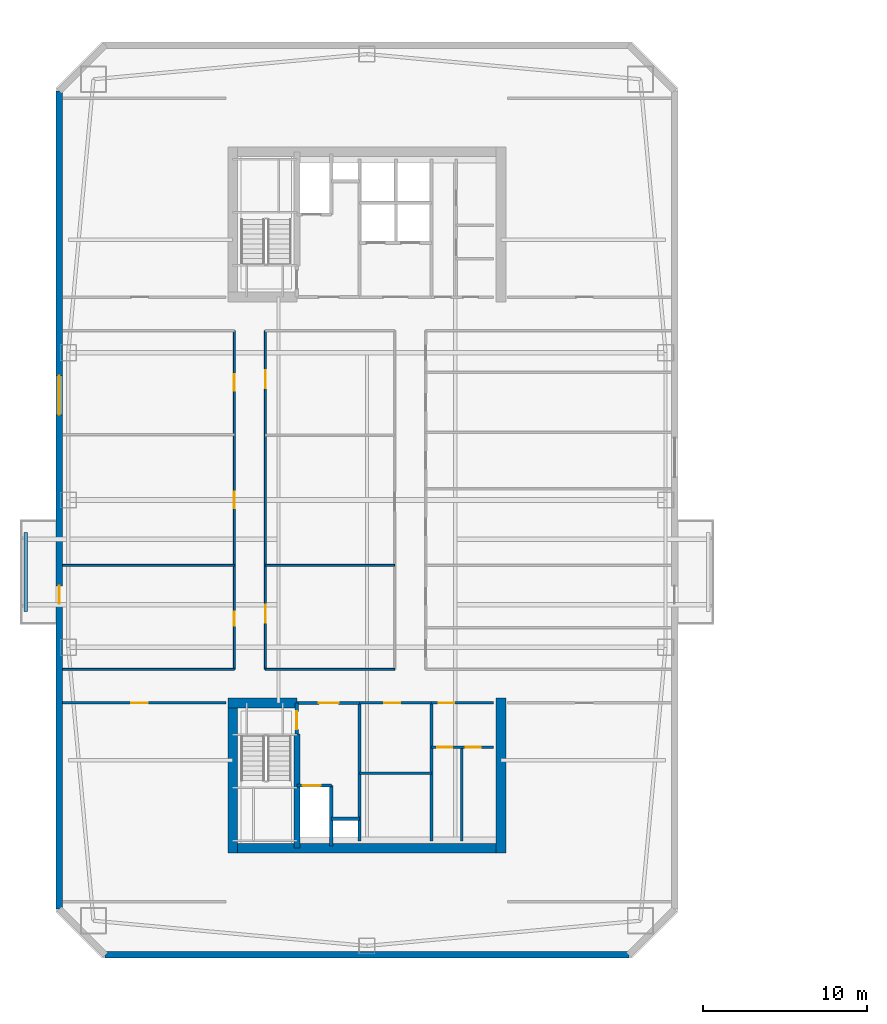
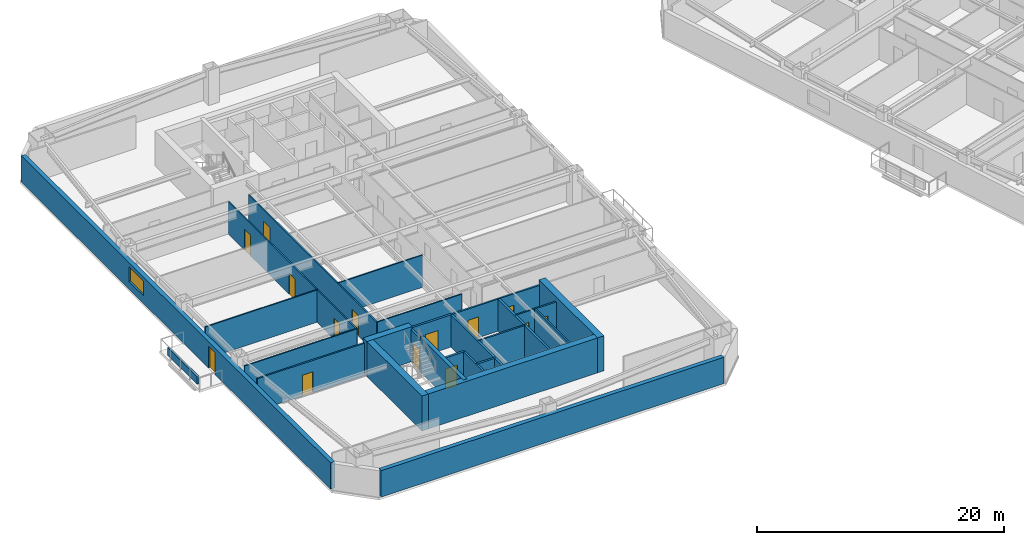
# One storey, part 4 of 14: 27 walls, 14 doors, 1 window, 15 openings.
"""IFC4 building model written with IfcOpenShell, lengths in metres."""

import ifcopenshell
import ifcopenshell.guid

model = None  # the IFC model being written
_history = None  # IfcOwnerHistory: only IFC2X3 demands one
_inside = {}  # id of a spatial element -> (the spatial element, [elements in it])
_under = {}  # id of a project, library or spatial element -> (it, [spatial elements below it])
_declared = {}  # id of a project -> (the project, [libraries it declares])
_typed = {}  # id of a type object -> (the type object, [elements of that type])
_made_of = {}  # id of a material, layer set ... -> (it, [elements and type objects made of it])


def new_model(schema):
    """Start an empty IFC model of exactly this schema.

    Asked for "IFC4X3", IfcOpenShell would pick the latest addendum, in which some entities
    have other attributes; the version numbers below select the first issue.
    IFC2X3 requires an IfcOwnerHistory on every rooted entity: one is made here for all.
    """
    global model, _history
    if schema == "IFC4X3":
        model = ifcopenshell.file(schema_version=(4, 3, 0, 0))
    else:
        model = ifcopenshell.file(schema=schema)
    _inside.clear()
    _under.clear()
    _declared.clear()
    _typed.clear()
    _made_of.clear()
    _history = None
    if model.schema == "IFC2X3":
        org = make("IfcOrganization", Name="unknown")
        user = make(
            "IfcPersonAndOrganization",
            ThePerson=make("IfcPerson", FamilyName="unknown"),
            TheOrganization=org,
        )
        app = make(
            "IfcApplication",
            ApplicationDeveloper=org,
            Version="unknown",
            ApplicationFullName="unknown",
            ApplicationIdentifier="unknown",
        )
        _history = make(
            "IfcOwnerHistory",
            OwningUser=user,
            OwningApplication=app,
            ChangeAction="ADDED",
            CreationDate=0,
        )
    return model


def make(cls, **values):
    """One entity of the class cls with the attributes given. An attribute that is None is left unset."""
    return model.create_entity(
        cls, **{name: value for name, value in values.items() if value is not None}
    )


def rooted(cls, **values):
    """An entity with a GlobalId (a new one), such as an element, a storey or a relation."""
    return make(cls, GlobalId=ifcopenshell.guid.new(), OwnerHistory=_history, **values)


def si_unit(unit_type, name, prefix=None):
    """IfcSIUnit, for example si_unit("LENGTHUNIT", "METRE", prefix="MILLI")."""
    return make("IfcSIUnit", UnitType=unit_type, Prefix=prefix, Name=name)


def assignment(units):
    """IfcUnitAssignment: the units of a project."""
    return None if units is None else make("IfcUnitAssignment", Units=units)


def point(xyz):
    """IfcCartesianPoint."""
    return None if xyz is None else make("IfcCartesianPoint", Coordinates=xyz)


def direction(xyz):
    """IfcDirection."""
    return None if xyz is None else make("IfcDirection", DirectionRatios=xyz)


def frame(location, z_axis=None, x_axis=None):
    """IfcAxis2Placement3D, a coordinate frame: its origin and axes. An axis left out is left unset."""
    return make(
        "IfcAxis2Placement3D",
        Location=point(location),
        Axis=direction(z_axis),
        RefDirection=direction(x_axis),
    )


def frame_2d(location, x_axis=None):
    """IfcAxis2Placement2D, a coordinate frame in the plane: its origin and x axis."""
    return make(
        "IfcAxis2Placement2D", Location=point(location), RefDirection=direction(x_axis)
    )


def origin():
    """The frame at (0, 0, 0) with its axes left unset."""
    return frame((0.0, 0.0, 0.0))


def place(relative_to, where):
    """IfcLocalPlacement: puts the frame where relative to a parent placement (None: the world)."""
    return make(
        "IfcLocalPlacement", PlacementRelTo=relative_to, RelativePlacement=where
    )


def context(
    kind, dimensions, precision=None, world=None, true_north=None, identifier=None
):
    """IfcGeometricRepresentationContext, for example the 3D "Model" context."""
    return make(
        "IfcGeometricRepresentationContext",
        ContextIdentifier=identifier,
        ContextType=kind,
        CoordinateSpaceDimension=dimensions,
        Precision=precision,
        WorldCoordinateSystem=world,
        TrueNorth=true_north,
    )


def subcontext(parent, identifier, kind, view, scale=None):
    """IfcGeometricRepresentationSubContext, for example "Body" below "Model"."""
    return make(
        "IfcGeometricRepresentationSubContext",
        ContextIdentifier=identifier,
        ContextType=kind,
        ParentContext=parent,
        TargetScale=scale,
        TargetView=view,
    )


def project(units=None, contexts=None):
    """IfcProject with its units and contexts."""
    return rooted(
        "IfcProject",
        Name="project",
        RepresentationContexts=contexts,
        UnitsInContext=assignment(units),
    )


def spatial(cls, under=None, at=None, **own):
    """A site, building, storey or space (cls), placed at a placement, below another one or the project."""
    s = rooted(cls, ObjectPlacement=at, **own)
    if under is not None:
        _under.setdefault(under.id(), (under, []))[1].append(s)
    return s


def profile(cls, at=None, kind="AREA", **sizes):
    """A parametric profile (cls). Its sizes go by their IFC names, for example OverallWidth=200.0."""
    return make(cls, ProfileType=kind, Position=at, **sizes)


def rectangle(**sizes):
    """IfcRectangleProfileDef."""
    return profile("IfcRectangleProfileDef", **sizes)


def extrude(swept, where, along, depth):
    """IfcExtrudedAreaSolid: the profile swept, set in the frame where, extruded along a direction by depth."""
    return make(
        "IfcExtrudedAreaSolid",
        SweptArea=swept,
        Position=where,
        ExtrudedDirection=direction(along),
        Depth=depth,
    )


def shape(context_of_items, identifier, shape_type, items):
    """IfcShapeRepresentation: the items that make up one representation, for example the "Body"."""
    return make(
        "IfcShapeRepresentation",
        ContextOfItems=context_of_items,
        RepresentationIdentifier=identifier,
        RepresentationType=shape_type,
        Items=items,
    )


def material(Name=None, Category=None):
    """IfcMaterial."""
    return make("IfcMaterial", Name=Name, Category=Category)


def layer(
    of_material, thickness, ventilated=None, Name=None, Category=None, Priority=None
):
    """IfcMaterialLayer: one layer of a wall or slab, of a material (None: an air gap)."""
    return make(
        "IfcMaterialLayer",
        Material=of_material,
        LayerThickness=thickness,
        IsVentilated=ventilated,
        Name=Name,
        Category=Category,
        Priority=Priority,
    )


def layer_set(layers, Name=None):
    """IfcMaterialLayerSet."""
    return make("IfcMaterialLayerSet", MaterialLayers=layers, LayerSetName=Name)


def made_of(thing, what):
    """Note that an element or type object is made of a material, layer set ...; save() writes the relation."""
    if what is not None:
        _made_of.setdefault(what.id(), (what, []))[1].append(thing)
    return thing


def type_object(cls, material=None, **own):
    """A type object (cls), such as IfcWallType, which elements share."""
    return made_of(rooted(cls, **own), material)


def element(
    cls,
    number,
    at=None,
    inside=None,
    cuts=None,
    type_object=None,
    material=None,
    context=None,
    identifier="Body",
    shape_type=None,
    held_by="IfcProductDefinitionShape",
    body=None,
    shapes=None,
    **own,
):
    """One element of the class cls, such as IfcWall. Its Tag is "e" and its number.

    at: its placement. inside: the storey or other place that contains it. cuts: it is an
    opening in that element (IfcRelVoidsElement). A single representation is given by context,
    identifier, shape_type and body (its items); several are given by shapes. held_by: the class
    of the entity that holds the representations. save() writes the other relations.
    """
    e = rooted(cls, Tag="e%d" % number, ObjectPlacement=at, **own)
    if body is not None:
        shapes = [shape(context, identifier, shape_type, body)]
    if shapes is not None:
        e.Representation = make(held_by, Representations=shapes)
    if inside is not None:
        _inside.setdefault(inside.id(), (inside, []))[1].append(e)
    if cuts is not None:
        rooted(
            "IfcRelVoidsElement", RelatingBuildingElement=cuts, RelatedOpeningElement=e
        )
    if type_object is not None:
        _typed.setdefault(type_object.id(), (type_object, []))[1].append(e)
    return made_of(e, material)


def fill(opening, filler):
    """IfcRelFillsElement: the door or window that sits in an opening."""
    return rooted(
        "IfcRelFillsElement",
        RelatingOpeningElement=opening,
        RelatedBuildingElement=filler,
    )


def aggregate(whole, parts):
    """IfcRelAggregates: a whole, such as a stair, and the parts it consists of."""
    return rooted("IfcRelAggregates", RelatingObject=whole, RelatedObjects=parts)


def save(model, path):
    """Write the relations noted so far, then the file.

    IfcRelAggregates (storeys below a building ...), IfcRelContainedInSpatialStructure (elements
    in a storey), IfcRelDefinesByType, IfcRelAssociatesMaterial and IfcRelDeclares: one each for
    every whole, place, type object, material and project.
    """
    for whole, parts in _under.values():
        aggregate(whole, parts)
    for where, things in _inside.values():
        rooted(
            "IfcRelContainedInSpatialStructure",
            RelatedElements=things,
            RelatingStructure=where,
        )
    for kind, things in _typed.values():
        rooted("IfcRelDefinesByType", RelatedObjects=things, RelatingType=kind)
    for what, things in _made_of.values():
        rooted("IfcRelAssociatesMaterial", RelatedObjects=things, RelatingMaterial=what)
    for by, libraries in _declared.values():
        rooted("IfcRelDeclares", RelatingContext=by, RelatedDefinitions=libraries)
    model.write(path)


model = new_model("IFC4")

# Units and contexts
model_context = context("Model", 3, precision=1e-05, world=origin(), true_north=direction((0.0, 1.0)))
body_context = subcontext(model_context, "Body", "Model", "MODEL_VIEW")
ifc_project = project(units=[si_unit("LENGTHUNIT", "METRE"), si_unit("AREAUNIT", "SQUARE_METRE"), si_unit("VOLUMEUNIT", "CUBIC_METRE"), si_unit("PLANEANGLEUNIT", "RADIAN"), si_unit("MASSUNIT", "GRAM", prefix="KILO")], contexts=[model_context])

# Site, building, storey
site_placement = place(None, origin())
site = spatial("IfcSite", under=ifc_project, at=site_placement, CompositionType="ELEMENT")
building_placement = place(site_placement, origin())
building = spatial("IfcBuilding", under=site, at=building_placement, Name="Qiaolan Cultural Towers", CompositionType="ELEMENT")
storey_placement = place(building_placement, frame((0.0, 0.0, 124.199951171875)))
storey = spatial("IfcBuildingStorey", under=building, at=storey_placement, Name="L32", CompositionType="ELEMENT", Elevation=124.199951171875)

# Walls
ifc_material_1 = material(Name="Concrete C50", Category="concrete")
ifc_layer_1 = layer(ifc_material_1, 0.35009765625)
ifc_layer_set_1 = layer_set([ifc_layer_1], Name="Concrete C50")
wall_type_1 = type_object("IfcWallType", Name="WL-CORE-350", PredefinedType="SHEAR", material=ifc_layer_set_1)
wall_1_placement = place(storey_placement, frame((25.719970703125, 19.699951171875, 0.0), z_axis=(0.0, 0.0, 1.0), x_axis=(0.0, -1.0, 0.0)))
element("IfcWall", 1, at=wall_1_placement, inside=storey, type_object=wall_type_1, Name="L32 T1-CS Stair Core Dividing Web", PredefinedType="SHEAR", context=body_context, shape_type="SweptSolid", body=[
    extrude(rectangle(XDim=6.97998046875, YDim=0.35009765625, at=frame_2d((3.489990234375, 0.0))), origin(), (0.0, 0.0, 1.0), 3.449951171875),
])
ifc_material_2 = material(Name="Concrete C55", Category="concrete")
ifc_layer_2 = layer(ifc_material_2, 0.60009765625)
ifc_layer_set_2 = layer_set([ifc_layer_2], Name="Concrete C55")
wall_type_2 = type_object("IfcWallType", Name="WL-CORE-600", PredefinedType="SHEAR", material=ifc_layer_set_2)
wall_2_placement = place(storey_placement, frame((21.5, 12.719970703125, 0.0), z_axis=(0.0, 0.0, 1.0), x_axis=(1.0, 0.0, 0.0)))
element("IfcWall", 2, at=wall_2_placement, inside=storey, type_object=wall_type_2, Name="L32 T1-CS Outer Core Shear Wall", PredefinedType="SHEAR", context=body_context, shape_type="SweptSolid", body=[
    extrude(rectangle(XDim=17.0, YDim=0.60009765625, at=frame_2d((8.5, 0.0))), origin(), (0.0, 0.0, 1.0), 3.449951171875),
])
for number, where, z_axis, x_axis, name in (
    (3, (21.800048828125, 21.89990234375, 0.0), (0.0, 0.0, 1.0), (0.0, -1.0, 0.0), "L32 T1-CS West Core Shear Wall"),
    (4, (38.199951171875, 21.89990234375, 0.0), (0.0, 0.0, 1.0), (0.0, -1.0, 0.0), "L32 T1-CS East Core Shear Wall"),
):
    element("IfcWall", number, at=place(storey_placement, frame(where, z_axis=z_axis, x_axis=x_axis)), inside=storey, type_object=wall_type_2, Name=name, PredefinedType="SHEAR", context=body_context, shape_type="SweptSolid", body=[
        extrude(rectangle(XDim=9.47998046875, YDim=0.60009765625, at=frame_2d((4.739990234375, 0.0))), origin(), (0.0, 0.0, 1.0), 3.449951171875),
    ])
wall_3_placement = place(storey_placement, frame((21.5, 21.60009765625, 0.0), z_axis=(0.0, 0.0, 1.0), x_axis=(1.0, 0.0, 0.0)))
element("IfcWall", 5, at=wall_3_placement, inside=storey, type_object=wall_type_2, Name="L32 T1-CS Stair Front Shear Wall", PredefinedType="SHEAR", context=body_context, shape_type="SweptSolid", body=[
    extrude(rectangle(XDim=4.219970703125, YDim=0.60009765625, at=frame_2d((2.10986328125, 0.0))), origin(), (0.0, 0.0, 1.0), 3.449951171875),
])

# Wall, openings, door, window
ifc_material_3 = material(Name="Precast Concrete C50 Honed Stone Pier", Category="masonry")
ifc_layer_3 = layer(ifc_material_3, 0.39990234375)
ifc_layer_set_3 = layer_set([ifc_layer_3], Name="Precast Concrete C50 Honed Stone Pier")
wall_type_3 = type_object("IfcWallType", Name="WL-EXT-PIER-400", PredefinedType="SOLIDWALL", material=ifc_layer_set_3)
wall_4_placement = place(storey_placement, frame((11.199951171875, 9.0, 0.0), z_axis=(0.0, 0.0, 1.0), x_axis=(0.0, 1.0, 0.0)))
wall_4 = element("IfcWall", 6, at=wall_4_placement, inside=storey, type_object=wall_type_3, Name="L32 West Tower Precast Pier Facade Wall F1", PredefinedType="SOLIDWALL", context=body_context, shape_type="SweptSolid", body=[
    extrude(rectangle(XDim=50.0, YDim=0.39990234375, at=frame_2d((25.0, 0.0))), origin(), (0.0, 0.0, 1.0), 2.610107421875),
])
opening_1_placement = place(wall_4_placement, frame((30.199951171875, 0.0, 0.75)))
opening_1 = element("IfcOpeningElement", 7, at=opening_1_placement, cuts=wall_4, Name="Opening W-02", PredefinedType="OPENING", context=body_context, shape_type="SweptSolid", body=[
    extrude(rectangle(XDim=2.39990234375, YDim=1.4599609375, at=frame_2d((1.199951171875, 0.72998046875))), frame((0.0, 0.2099609375, 0.0), z_axis=(0.0, -1.0, 0.0), x_axis=(1.0, 0.0, 0.0)), (0.0, 0.0, 1.0), 0.419921875),
])
opening_2_placement = place(wall_4_placement, frame((18.64990234375, 0.0, 0.0)))
opening_2 = element("IfcOpeningElement", 8, at=opening_2_placement, cuts=wall_4, Name="Opening BD-01", PredefinedType="OPENING", context=body_context, shape_type="SweptSolid", body=[
    extrude(rectangle(XDim=1.10009765625, YDim=2.14990234375, at=frame_2d((0.550048828125, 1.074951171875))), frame((0.0, 0.2099609375, 0.0), z_axis=(0.0, -1.0, 0.0), x_axis=(1.0, 0.0, 0.0)), (0.0, 0.0, 1.0), 0.419921875),
])
ifc_material_4 = material(Name="Thermally Broken Aluminium Glazed Terrace Door", Category="aluminium")
door_type_1 = type_object("IfcDoorType", Name="DR-BAL-1100", OperationType="NOTDEFINED", PredefinedType="DOOR", material=ifc_material_4)
door_1_placement = place(opening_2_placement, origin())
door_1 = element("IfcDoor", 9, at=door_1_placement, inside=storey, type_object=door_type_1, Name="L32 T1 West Tree Balcony Door", OperationType="SINGLE_SWING_LEFT", OverallHeight=2.14990234375, OverallWidth=1.10009765625, PredefinedType="DOOR", context=body_context, shape_type="SweptSolid", body=[
    extrude(rectangle(XDim=1.10009765625, YDim=2.14990234375, at=frame_2d((0.550048828125, 1.074951171875))), frame((0.0, 0.02490234375, 0.0), z_axis=(0.0, -1.0, 0.0), x_axis=(1.0, 0.0, 0.0)), (0.0, 0.0, 1.0), 0.050048828125),
])
fill(opening_2, door_1)
ifc_material_5 = material(Name="Thermally Broken Aluminium Triple Low-E Glazing", Category="aluminium")
window_type = type_object("IfcWindowType", Name="WN-CHIC-2400", PartitioningType="SINGLE_PANEL", PredefinedType="WINDOW", material=ifc_material_5)
window_placement = place(opening_1_placement, origin())
window = element("IfcWindow", 10, at=window_placement, inside=storey, type_object=window_type, Name="L32 T1 W Chicago Bay Window 1", OverallHeight=1.4599609375, OverallWidth=2.39990234375, PartitioningType="TRIPLE_PANEL_VERTICAL", PredefinedType="WINDOW", context=body_context, shape_type="SweptSolid", body=[
    extrude(rectangle(XDim=2.39990234375, YDim=1.4599609375, at=frame_2d((1.199951171875, 0.72998046875))), frame((0.0, 0.030029296875, 0.0), z_axis=(0.0, -1.0, 0.0), x_axis=(1.0, 0.0, 0.0)), (0.0, 0.0, 1.0), 0.06005859375),
])
fill(opening_1, window)

# Wall
wall_5_placement = place(storey_placement, frame((46.0, 6.199951171875, 0.0), z_axis=(0.0, 0.0, 1.0), x_axis=(-1.0, 0.0, 0.0)))
element("IfcWall", 11, at=wall_5_placement, inside=storey, type_object=wall_type_3, Name="L32 West Tower Precast Pier Facade Wall F7", PredefinedType="SOLIDWALL", context=body_context, shape_type="SweptSolid", body=[
    extrude(rectangle(XDim=32.0, YDim=0.39990234375, at=frame_2d((16.0, 0.0))), origin(), (0.0, 0.0, 1.0), 2.610107421875),
])

# Wall, opening, door
ifc_material_6 = material(Name="Concrete C35 Fire Wall", Category="concrete")
ifc_layer_4 = layer(ifc_material_6, 0.199951171875)
ifc_layer_set_4 = layer_set([ifc_layer_4], Name="Concrete C35 Fire Wall")
wall_type_4 = type_object("IfcWallType", Name="WL-FIRE-200", PredefinedType="PARTITIONING", material=ifc_layer_set_4)
wall_6_placement = place(storey_placement, frame((25.719970703125, 21.60009765625, 0.0), z_axis=(0.0, 0.0, 1.0), x_axis=(0.0, -1.0, 0.0)))
wall_6 = element("IfcWall", 12, at=wall_6_placement, inside=storey, type_object=wall_type_4, Name="L32 T1-CS Smokeproof Stair Entry Wall", PredefinedType="PARTITIONING", context=body_context, shape_type="SweptSolid", body=[
    extrude(rectangle(XDim=1.900146484375, YDim=0.199951171875, at=frame_2d((0.9501953125, 0.0))), origin(), (0.0, 0.0, 1.0), 3.175048828125),
])
opening_3_placement = place(wall_6_placement, frame((0.52001953125, 0.0, 0.0)))
opening_3 = element("IfcOpeningElement", 13, at=opening_3_placement, cuts=wall_6, Name="Opening FD-04", PredefinedType="OPENING", context=body_context, shape_type="SweptSolid", body=[
    extrude(rectangle(XDim=1.10009765625, YDim=2.050048828125, at=frame_2d((0.550048828125, 1.02490234375))), frame((0.0, 0.10986328125, 0.0), z_axis=(0.0, -1.0, 0.0), x_axis=(1.0, 0.0, 0.0)), (0.0, 0.0, 1.0), 0.219970703125),
])
ifc_material_7 = material(Name="Galvanized Steel Command Fire Door", Category="steel")
door_type_2 = type_object("IfcDoorType", Name="DR-FD90-1100", OperationType="NOTDEFINED", PredefinedType="DOOR", material=ifc_material_7)
door_2_placement = place(opening_3_placement, origin())
door_2 = element("IfcDoor", 14, at=door_2_placement, inside=storey, type_object=door_type_2, Name="L32 ST-W1 Smokeproof Stair Fire Door", OperationType="SINGLE_SWING_LEFT", OverallHeight=2.050048828125, OverallWidth=1.10009765625, PredefinedType="DOOR", context=body_context, shape_type="SweptSolid", body=[
    extrude(rectangle(XDim=1.10009765625, YDim=2.050048828125, at=frame_2d((0.550048828125, 1.02490234375))), frame((0.0, 0.02490234375, 0.0), z_axis=(0.0, -1.0, 0.0), x_axis=(1.0, 0.0, 0.0)), (0.0, 0.0, 1.0), 0.050048828125),
])
fill(opening_3, door_2)

# Wall
wall_7_placement = place(storey_placement, frame((29.550048828125, 21.60009765625, 0.0), z_axis=(0.0, 0.0, 1.0), x_axis=(0.0, -1.0, 0.0)))
element("IfcWall", 15, at=wall_7_placement, inside=storey, type_object=wall_type_4, Name="L32 T1-CS Firefighting Zone Wall", PredefinedType="PARTITIONING", context=body_context, shape_type="SweptSolid", body=[
    extrude(rectangle(XDim=8.43017578125, YDim=0.199951171875, at=frame_2d((4.215087890625, 0.0))), origin(), (0.0, 0.0, 1.0), 3.175048828125),
])

# Wall, opening, door
wall_8_placement = place(storey_placement, frame((25.719970703125, 21.60009765625, 0.0), z_axis=(0.0, 0.0, 1.0), x_axis=(1.0, 0.0, 0.0)))
wall_8 = element("IfcWall", 16, at=wall_8_placement, inside=storey, type_object=wall_type_4, Name="L32 T1-CS Firefighting Lobby Front Wall", PredefinedType="PARTITIONING", context=body_context, shape_type="SweptSolid", body=[
    extrude(rectangle(XDim=3.830078125, YDim=0.199951171875, at=frame_2d((1.9150390625, 0.0))), origin(), (0.0, 0.0, 1.0), 3.175048828125),
])
opening_4_placement = place(wall_8_placement, frame((1.35009765625, 0.0, 0.0)))
opening_4 = element("IfcOpeningElement", 17, at=opening_4_placement, cuts=wall_8, Name="Opening FD-03", PredefinedType="OPENING", context=body_context, shape_type="SweptSolid", body=[
    extrude(rectangle(XDim=1.199951171875, YDim=2.050048828125, at=frame_2d((0.60009765625, 1.02490234375))), frame((0.0, 0.10986328125, 0.0), z_axis=(0.0, -1.0, 0.0), x_axis=(1.0, 0.0, 0.0)), (0.0, 0.0, 1.0), 0.219970703125),
])
ifc_material_8 = material(Name="Galvanized Steel Smokeproof Lobby Fire Door", Category="steel")
door_type_3 = type_object("IfcDoorType", Name="DR-FD90-1200", OperationType="NOTDEFINED", PredefinedType="DOOR", material=ifc_material_8)
door_3_placement = place(opening_4_placement, origin())
door_3 = element("IfcDoor", 18, at=door_3_placement, inside=storey, type_object=door_type_3, Name="L32 FFL-W1 Firefighting Lobby Fire Door", OperationType="SINGLE_SWING_LEFT", OverallHeight=2.050048828125, OverallWidth=1.199951171875, PredefinedType="DOOR", context=body_context, shape_type="SweptSolid", body=[
    extrude(rectangle(XDim=1.199951171875, YDim=2.050048828125, at=frame_2d((0.60009765625, 1.02490234375))), frame((0.0, 0.02490234375, 0.0), z_axis=(0.0, -1.0, 0.0), x_axis=(1.0, 0.0, 0.0)), (0.0, 0.0, 1.0), 0.050048828125),
])
fill(opening_4, door_3)

wall_9_placement = place(storey_placement, frame((25.719970703125, 16.550048828125, 0.0), z_axis=(0.0, 0.0, 1.0), x_axis=(1.0, 0.0, 0.0)))
wall_9 = element("IfcWall", 19, at=wall_9_placement, inside=storey, type_object=wall_type_4, Name="L32 T1-CS Firefighting Shaft Front Wall", PredefinedType="PARTITIONING", context=body_context, shape_type="SweptSolid", body=[
    extrude(rectangle(XDim=2.10009765625, YDim=0.199951171875, at=frame_2d((1.050048828125, 0.0))), origin(), (0.0, 0.0, 1.0), 3.175048828125),
])
opening_5_placement = place(wall_9_placement, frame((0.35009765625, 0.0, 0.0)))
opening_5 = element("IfcOpeningElement", 20, at=opening_5_placement, cuts=wall_9, Name="Opening LD-01", PredefinedType="OPENING", context=body_context, shape_type="SweptSolid", body=[
    extrude(rectangle(XDim=1.10009765625, YDim=2.050048828125, at=frame_2d((0.550048828125, 1.02490234375))), frame((0.0, 0.10986328125, 0.0), z_axis=(0.0, -1.0, 0.0), x_axis=(1.0, 0.0, 0.0)), (0.0, 0.0, 1.0), 0.219970703125),
])
ifc_material_9 = material(Name="Brushed Stainless Steel S30408 Centre-Parting Lift Landing Door", Category="steel")
door_type_4 = type_object("IfcDoorType", Name="DR-LIFT-1100", OperationType="NOTDEFINED", PredefinedType="DOOR", material=ifc_material_9)
door_4_placement = place(opening_5_placement, origin())
door_4 = element("IfcDoor", 21, at=door_4_placement, inside=storey, type_object=door_type_4, Name="L32 FFL-W1 Firefighting Lift Landing Door", OperationType="DOUBLE_DOOR_SLIDING", OverallHeight=2.050048828125, OverallWidth=1.10009765625, PredefinedType="DOOR", context=body_context, shape_type="SweptSolid", body=[
    extrude(rectangle(XDim=1.10009765625, YDim=2.050048828125, at=frame_2d((0.550048828125, 1.02490234375))), frame((0.0, 0.02490234375, 0.0), z_axis=(0.0, -1.0, 0.0), x_axis=(1.0, 0.0, 0.0)), (0.0, 0.0, 1.0), 0.050048828125),
])
fill(opening_5, door_4)

# Walls
wall_10_placement = place(storey_placement, frame((27.820068359375, 16.550048828125, 0.0), z_axis=(0.0, 0.0, 1.0), x_axis=(0.0, -1.0, 0.0)))
element("IfcWall", 22, at=wall_10_placement, inside=storey, type_object=wall_type_4, Name="L32 T1-CS Firefighting Hoistway East Wall", PredefinedType="PARTITIONING", context=body_context, shape_type="SweptSolid", body=[
    extrude(rectangle(XDim=3.699951171875, YDim=0.199951171875, at=frame_2d((1.85009765625, 0.0))), origin(), (0.0, 0.0, 1.0), 3.175048828125),
])
wall_11_placement = place(storey_placement, frame((27.820068359375, 14.52001953125, 0.0), z_axis=(0.0, 0.0, 1.0), x_axis=(1.0, 0.0, 0.0)))
element("IfcWall", 23, at=wall_11_placement, inside=storey, type_object=wall_type_4, Name="L32 T1-CS Pressurization Shaft Front Wall", PredefinedType="PARTITIONING", context=body_context, shape_type="SweptSolid", body=[
    extrude(rectangle(XDim=1.72998046875, YDim=0.199951171875, at=frame_2d((0.864990234375, 0.0))), origin(), (0.0, 0.0, 1.0), 3.175048828125),
])
wall_12_placement = place(storey_placement, frame((33.949951171875, 21.60009765625, 0.0), z_axis=(0.0, 0.0, 1.0), x_axis=(0.0, -1.0, 0.0)))
element("IfcWall", 24, at=wall_12_placement, inside=storey, type_object=wall_type_4, Name="L32 T1-CS Lift Core East Wall", PredefinedType="PARTITIONING", context=body_context, shape_type="SweptSolid", body=[
    extrude(rectangle(XDim=8.43017578125, YDim=0.199951171875, at=frame_2d((4.215087890625, 0.0))), origin(), (0.0, 0.0, 1.0), 3.175048828125),
])
ifc_material_10 = material(Name="Gypsum Stud Acoustic Partition", Category="gypsum")
ifc_layer_5 = layer(ifc_material_10, 0.1201171875)
ifc_layer_set_5 = layer_set([ifc_layer_5], Name="Gypsum Stud Acoustic Partition")
wall_type_5 = type_object("IfcWallType", Name="WL-PART-120", PredefinedType="PARTITIONING", material=ifc_layer_set_5)
wall_13_placement = place(storey_placement, frame((11.39990234375, 23.64990234375, 0.0), z_axis=(0.0, 0.0, 1.0), x_axis=(1.0, 0.0, 0.0)))
element("IfcWall", 25, at=wall_13_placement, inside=storey, type_object=wall_type_5, Name="L32 T1 Interior Wall", PredefinedType="PARTITIONING", context=body_context, shape_type="SweptSolid", body=[
    extrude(rectangle(XDim=10.5, YDim=0.1201171875, at=frame_2d((5.25, 0.0))), origin(), (0.0, 0.0, 1.0), 3.175048828125),
])
wall_14_placement = place(storey_placement, frame((23.800048828125, 23.64990234375, 0.0), z_axis=(0.0, 0.0, 1.0), x_axis=(1.0, 0.0, 0.0)))
element("IfcWall", 26, at=wall_14_placement, inside=storey, type_object=wall_type_5, Name="L32 T1 Interior Wall", PredefinedType="PARTITIONING", context=body_context, shape_type="SweptSolid", body=[
    extrude(rectangle(XDim=7.89990234375, YDim=0.1201171875, at=frame_2d((3.949951171875, 0.0))), origin(), (0.0, 0.0, 1.0), 3.175048828125),
])

# Wall, openings, doors
wall_15_placement = place(storey_placement, frame((21.89990234375, 23.64990234375, 0.0), z_axis=(0.0, 0.0, 1.0), x_axis=(0.0, 1.0, 0.0)))
wall_15 = element("IfcWall", 27, at=wall_15_placement, inside=storey, type_object=wall_type_5, Name="L32 T1 Interior Wall", PredefinedType="PARTITIONING", context=body_context, shape_type="SweptSolid", body=[
    extrude(rectangle(XDim=20.7001953125, YDim=0.1201171875, at=frame_2d((10.35009765625, 0.0))), origin(), (0.0, 0.0, 1.0), 3.175048828125),
])
opening_6_placement = place(wall_15_placement, frame((2.675048828125, 0.0, 0.0)))
opening_6 = element("IfcOpeningElement", 28, at=opening_6_placement, cuts=wall_15, Name="Opening ID-09", PredefinedType="OPENING", context=body_context, shape_type="SweptSolid", body=[
    extrude(rectangle(XDim=0.85009765625, YDim=2.050048828125, at=frame_2d((0.425048828125, 1.02490234375))), frame((0.0, 0.070068359375, 0.0), z_axis=(0.0, -1.0, 0.0), x_axis=(1.0, 0.0, 0.0)), (0.0, 0.0, 1.0), 0.14013671875),
])
opening_7_placement = place(wall_15_placement, frame((9.85009765625, 0.0, 0.0)))
opening_7 = element("IfcOpeningElement", 29, at=opening_7_placement, cuts=wall_15, Name="Opening ID-04", PredefinedType="OPENING", context=body_context, shape_type="SweptSolid", body=[
    extrude(rectangle(XDim=1.0, YDim=2.050048828125, at=frame_2d((0.5, 1.02490234375))), frame((0.0, 0.070068359375, 0.0), z_axis=(0.0, -1.0, 0.0), x_axis=(1.0, 0.0, 0.0)), (0.0, 0.0, 1.0), 0.14013671875),
])
opening_8_placement = place(wall_15_placement, frame((17.02490234375, 0.0, 0.0)))
opening_8 = element("IfcOpeningElement", 30, at=opening_8_placement, cuts=wall_15, Name="Opening ID-04", PredefinedType="OPENING", context=body_context, shape_type="SweptSolid", body=[
    extrude(rectangle(XDim=1.0, YDim=2.050048828125, at=frame_2d((0.5, 1.02490234375))), frame((0.0, 0.070068359375, 0.0), z_axis=(0.0, -1.0, 0.0), x_axis=(1.0, 0.0, 0.0)), (0.0, 0.0, 1.0), 0.14013671875),
])
ifc_material_11 = material(Name="Oak Veneer Acoustic Office Door", Category="timber")
door_type_5 = type_object("IfcDoorType", Name="DR-INT-1000", OperationType="NOTDEFINED", PredefinedType="DOOR", material=ifc_material_11)
door_5_placement = place(opening_7_placement, origin())
door_5 = element("IfcDoor", 31, at=door_5_placement, inside=storey, type_object=door_type_5, Name="L32 T1 Publication Showroom Door", OperationType="SINGLE_SWING_RIGHT", OverallHeight=2.050048828125, OverallWidth=1.0, PredefinedType="DOOR", context=body_context, shape_type="SweptSolid", body=[
    extrude(rectangle(XDim=1.0, YDim=2.050048828125, at=frame_2d((0.5, 1.02490234375))), frame((0.0, 0.02490234375, 0.0), z_axis=(0.0, -1.0, 0.0), x_axis=(1.0, 0.0, 0.0)), (0.0, 0.0, 1.0), 0.050048828125),
])
fill(opening_7, door_5)
door_6_placement = place(opening_8_placement, origin())
door_6 = element("IfcDoor", 32, at=door_6_placement, inside=storey, type_object=door_type_5, Name="L32 T1 Cataloguing Kitchenette Door", OperationType="SINGLE_SWING_LEFT", OverallHeight=2.050048828125, OverallWidth=1.0, PredefinedType="DOOR", context=body_context, shape_type="SweptSolid", body=[
    extrude(rectangle(XDim=1.0, YDim=2.050048828125, at=frame_2d((0.5, 1.02490234375))), frame((0.0, 0.02490234375, 0.0), z_axis=(0.0, -1.0, 0.0), x_axis=(1.0, 0.0, 0.0)), (0.0, 0.0, 1.0), 0.050048828125),
])
fill(opening_8, door_6)
ifc_material_12 = material(Name="Moisture-Resistant Laminate Utility Door", Category="timber")
door_type_6 = type_object("IfcDoorType", Name="DR-INT-850", OperationType="NOTDEFINED", PredefinedType="DOOR", material=ifc_material_12)
door_7_placement = place(opening_6_placement, origin())
door_7 = element("IfcDoor", 33, at=door_7_placement, inside=storey, type_object=door_type_6, Name="L32 T1 Publication Showroom Door", OperationType="SINGLE_SWING_LEFT", OverallHeight=2.050048828125, OverallWidth=0.85009765625, PredefinedType="DOOR", context=body_context, shape_type="SweptSolid", body=[
    extrude(rectangle(XDim=0.85009765625, YDim=2.050048828125, at=frame_2d((0.425048828125, 1.02490234375))), frame((0.0, 0.02490234375, 0.0), z_axis=(0.0, -1.0, 0.0), x_axis=(1.0, 0.0, 0.0)), (0.0, 0.0, 1.0), 0.050048828125),
])
fill(opening_6, door_7)

wall_16_placement = place(storey_placement, frame((23.800048828125, 23.64990234375, 0.0), z_axis=(0.0, 0.0, 1.0), x_axis=(0.0, 1.0, 0.0)))
wall_16 = element("IfcWall", 34, at=wall_16_placement, inside=storey, type_object=wall_type_5, Name="L32 T1 Interior Wall", PredefinedType="PARTITIONING", context=body_context, shape_type="SweptSolid", body=[
    extrude(rectangle(XDim=20.7001953125, YDim=0.1201171875, at=frame_2d((10.35009765625, 0.0))), origin(), (0.0, 0.0, 1.0), 3.175048828125),
])
opening_9_placement = place(wall_16_placement, frame((2.857421875, 0.0, 0.0)))
opening_9 = element("IfcOpeningElement", 35, at=opening_9_placement, cuts=wall_16, Name="Opening ID-03", PredefinedType="OPENING", context=body_context, shape_type="SweptSolid", body=[
    extrude(rectangle(XDim=1.10009765625, YDim=2.050048828125, at=frame_2d((0.550048828125, 1.02490234375))), frame((0.0, 0.070068359375, 0.0), z_axis=(0.0, -1.0, 0.0), x_axis=(1.0, 0.0, 0.0)), (0.0, 0.0, 1.0), 0.14013671875),
])
opening_10_placement = place(wall_16_placement, frame((17.188720703125, 0.0, 0.0)))
opening_10 = element("IfcOpeningElement", 36, at=opening_10_placement, cuts=wall_16, Name="Opening ID-03", PredefinedType="OPENING", context=body_context, shape_type="SweptSolid", body=[
    extrude(rectangle(XDim=1.10009765625, YDim=2.050048828125, at=frame_2d((0.550048828125, 1.02490234375))), frame((0.0, 0.070068359375, 0.0), z_axis=(0.0, -1.0, 0.0), x_axis=(1.0, 0.0, 0.0)), (0.0, 0.0, 1.0), 0.14013671875),
])
ifc_material_13 = material(Name="Oak Veneer Solid-Core Boardroom Door", Category="timber")
door_type_7 = type_object("IfcDoorType", Name="DR-INT-1100", OperationType="NOTDEFINED", PredefinedType="DOOR", material=ifc_material_13)
door_8_placement = place(opening_9_placement, origin())
door_8 = element("IfcDoor", 37, at=door_8_placement, inside=storey, type_object=door_type_7, Name="L32 T1 Central Boardroom Door", OperationType="SINGLE_SWING_LEFT", OverallHeight=2.050048828125, OverallWidth=1.10009765625, PredefinedType="DOOR", context=body_context, shape_type="SweptSolid", body=[
    extrude(rectangle(XDim=1.10009765625, YDim=2.050048828125, at=frame_2d((0.550048828125, 1.02490234375))), frame((0.0, 0.02490234375, 0.0), z_axis=(0.0, -1.0, 0.0), x_axis=(1.0, 0.0, 0.0)), (0.0, 0.0, 1.0), 0.050048828125),
])
fill(opening_9, door_8)
door_9_placement = place(opening_10_placement, origin())
door_9 = element("IfcDoor", 38, at=door_9_placement, inside=storey, type_object=door_type_7, Name="L32 T1 Central Archive Room Door", OperationType="SINGLE_SWING_RIGHT", OverallHeight=2.050048828125, OverallWidth=1.10009765625, PredefinedType="DOOR", context=body_context, shape_type="SweptSolid", body=[
    extrude(rectangle(XDim=1.10009765625, YDim=2.050048828125, at=frame_2d((0.550048828125, 1.02490234375))), frame((0.0, 0.02490234375, 0.0), z_axis=(0.0, -1.0, 0.0), x_axis=(1.0, 0.0, 0.0)), (0.0, 0.0, 1.0), 0.050048828125),
])
fill(opening_10, door_9)

# Walls
wall_17_placement = place(storey_placement, frame((23.800048828125, 30.0, 0.0), z_axis=(0.0, 0.0, 1.0), x_axis=(1.0, 0.0, 0.0)))
element("IfcWall", 39, at=wall_17_placement, inside=storey, type_object=wall_type_5, Name="L32 T1 Interior Wall", PredefinedType="PARTITIONING", context=body_context, shape_type="SweptSolid", body=[
    extrude(rectangle(XDim=7.89990234375, YDim=0.1201171875, at=frame_2d((3.949951171875, 0.0))), origin(), (0.0, 0.0, 1.0), 3.175048828125),
])
wall_18_placement = place(storey_placement, frame((11.39990234375, 30.0, 0.0), z_axis=(0.0, 0.0, 1.0), x_axis=(1.0, 0.0, 0.0)))
element("IfcWall", 40, at=wall_18_placement, inside=storey, type_object=wall_type_5, Name="L32 T1 Interior Wall", PredefinedType="PARTITIONING", context=body_context, shape_type="SweptSolid", body=[
    extrude(rectangle(XDim=10.5, YDim=0.1201171875, at=frame_2d((5.25, 0.0))), origin(), (0.0, 0.0, 1.0), 3.175048828125),
])

# Wall, opening, door
ifc_material_14 = material(Name="Autoclaved Aerated Concrete Block B06", Category="concrete")
ifc_layer_6 = layer(ifc_material_14, 0.14990234375)
ifc_layer_set_6 = layer_set([ifc_layer_6], Name="Autoclaved Aerated Concrete Block B06")
wall_type_6 = type_object("IfcWallType", Name="WL-PART-150", PredefinedType="PARTITIONING", material=ifc_layer_set_6)
wall_19_placement = place(storey_placement, frame((29.550048828125, 21.60009765625, 0.0), z_axis=(0.0, 0.0, 1.0), x_axis=(1.0, 0.0, 0.0)))
wall_19 = element("IfcWall", 41, at=wall_19_placement, inside=storey, type_object=wall_type_6, Name="L32 T1-CS Reclaimed Core Room Front Wall", PredefinedType="PARTITIONING", context=body_context, shape_type="SweptSolid", body=[
    extrude(rectangle(XDim=4.39990234375, YDim=0.14990234375, at=frame_2d((2.199951171875, 0.0))), origin(), (0.0, 0.0, 1.0), 3.175048828125),
])
opening_11_placement = place(wall_19_placement, frame((1.5, 0.0, 0.0)))
opening_11 = element("IfcOpeningElement", 42, at=opening_11_placement, cuts=wall_19, Name="Opening ID-04", PredefinedType="OPENING", context=body_context, shape_type="SweptSolid", body=[
    extrude(rectangle(XDim=1.0, YDim=2.050048828125, at=frame_2d((0.5, 1.02490234375))), frame((0.0, 0.0849609375, 0.0), z_axis=(0.0, -1.0, 0.0), x_axis=(1.0, 0.0, 0.0)), (0.0, 0.0, 1.0), 0.169921875),
])
door_10_placement = place(opening_11_placement, origin())
door_10 = element("IfcDoor", 43, at=door_10_placement, inside=storey, type_object=door_type_5, Name="L32 Focus Pod Room Door", OperationType="SINGLE_SWING_LEFT", OverallHeight=2.050048828125, OverallWidth=1.0, PredefinedType="DOOR", context=body_context, shape_type="SweptSolid", body=[
    extrude(rectangle(XDim=1.0, YDim=2.050048828125, at=frame_2d((0.5, 1.02490234375))), frame((0.0, 0.02490234375, 0.0), z_axis=(0.0, -1.0, 0.0), x_axis=(1.0, 0.0, 0.0)), (0.0, 0.0, 1.0), 0.050048828125),
])
fill(opening_11, door_10)

# Wall
wall_20_placement = place(storey_placement, frame((29.550048828125, 17.300048828125, 0.0), z_axis=(0.0, 0.0, 1.0), x_axis=(1.0, 0.0, 0.0)))
element("IfcWall", 44, at=wall_20_placement, inside=storey, type_object=wall_type_6, Name="L32 T1-CS Reclaimed Room Subdivider", PredefinedType="PARTITIONING", context=body_context, shape_type="SweptSolid", body=[
    extrude(rectangle(XDim=4.39990234375, YDim=0.14990234375, at=frame_2d((2.199951171875, 0.0))), origin(), (0.0, 0.0, 1.0), 3.175048828125),
])

# Wall, opening, door
wall_21_placement = place(storey_placement, frame((33.949951171875, 21.60009765625, 0.0), z_axis=(0.0, 0.0, 1.0), x_axis=(1.0, 0.0, 0.0)))
wall_21 = element("IfcWall", 45, at=wall_21_placement, inside=storey, type_object=wall_type_6, Name="L32 T1-CS Sanitary Core Front Wall", PredefinedType="PARTITIONING", context=body_context, shape_type="SweptSolid", body=[
    extrude(rectangle(XDim=3.800048828125, YDim=0.14990234375, at=frame_2d((1.89990234375, 0.0))), origin(), (0.0, 0.0, 1.0), 3.175048828125),
])
opening_12_placement = place(wall_21_placement, frame((0.449951171875, 0.0, 0.0)))
opening_12 = element("IfcOpeningElement", 46, at=opening_12_placement, cuts=wall_21, Name="Opening ID-05", PredefinedType="OPENING", context=body_context, shape_type="SweptSolid", body=[
    extrude(rectangle(XDim=0.949951171875, YDim=2.050048828125, at=frame_2d((0.47509765625, 1.02490234375))), frame((0.0, 0.0849609375, 0.0), z_axis=(0.0, -1.0, 0.0), x_axis=(1.0, 0.0, 0.0)), (0.0, 0.0, 1.0), 0.169921875),
])
ifc_material_15 = material(Name="Fire-Rated Laminate Accessible Core Door", Category="timber")
door_type_8 = type_object("IfcDoorType", Name="DR-INT-950", OperationType="NOTDEFINED", PredefinedType="DOOR", material=ifc_material_15)
door_11_placement = place(opening_12_placement, origin())
door_11 = element("IfcDoor", 47, at=door_11_placement, inside=storey, type_object=door_type_8, Name="L32 Sanitary Vestibule Door", OperationType="SINGLE_SWING_LEFT", OverallHeight=2.050048828125, OverallWidth=0.949951171875, PredefinedType="DOOR", context=body_context, shape_type="SweptSolid", body=[
    extrude(rectangle(XDim=0.949951171875, YDim=2.050048828125, at=frame_2d((0.47509765625, 1.02490234375))), frame((0.0, 0.02490234375, 0.0), z_axis=(0.0, -1.0, 0.0), x_axis=(1.0, 0.0, 0.0)), (0.0, 0.0, 1.0), 0.050048828125),
])
fill(opening_12, door_11)

# Wall, openings, doors
wall_22_placement = place(storey_placement, frame((33.949951171875, 18.89990234375, 0.0), z_axis=(0.0, 0.0, 1.0), x_axis=(1.0, 0.0, 0.0)))
wall_22 = element("IfcWall", 48, at=wall_22_placement, inside=storey, type_object=wall_type_6, Name="L32 T1-CS Restroom Vestibule Wall", PredefinedType="PARTITIONING", context=body_context, shape_type="SweptSolid", body=[
    extrude(rectangle(XDim=3.800048828125, YDim=0.14990234375, at=frame_2d((1.89990234375, 0.0))), origin(), (0.0, 0.0, 1.0), 3.175048828125),
])
opening_13_placement = place(wall_22_placement, frame((0.35009765625, 0.0, 0.0)))
opening_13 = element("IfcOpeningElement", 49, at=opening_13_placement, cuts=wall_22, Name="Opening ID-06", PredefinedType="OPENING", context=body_context, shape_type="SweptSolid", body=[
    extrude(rectangle(XDim=0.89990234375, YDim=2.050048828125, at=frame_2d((0.449951171875, 1.02490234375))), frame((0.0, 0.0849609375, 0.0), z_axis=(0.0, -1.0, 0.0), x_axis=(1.0, 0.0, 0.0)), (0.0, 0.0, 1.0), 0.169921875),
])
opening_14_placement = place(wall_22_placement, frame((2.10009765625, 0.0, 0.0)))
opening_14 = element("IfcOpeningElement", 50, at=opening_14_placement, cuts=wall_22, Name="Opening ID-06", PredefinedType="OPENING", context=body_context, shape_type="SweptSolid", body=[
    extrude(rectangle(XDim=0.89990234375, YDim=2.050048828125, at=frame_2d((0.449951171875, 1.02490234375))), frame((0.0, 0.0849609375, 0.0), z_axis=(0.0, -1.0, 0.0), x_axis=(1.0, 0.0, 0.0)), (0.0, 0.0, 1.0), 0.169921875),
])
ifc_material_16 = material(Name="Fire-Rated Laminate Core Service Door", Category="timber")
door_type_9 = type_object("IfcDoorType", Name="DR-INT-900", OperationType="NOTDEFINED", PredefinedType="DOOR", material=ifc_material_16)
door_12_placement = place(opening_13_placement, origin())
door_12 = element("IfcDoor", 51, at=door_12_placement, inside=storey, type_object=door_type_9, Name="L32 Men Restroom Door", OperationType="SINGLE_SWING_LEFT", OverallHeight=2.050048828125, OverallWidth=0.89990234375, PredefinedType="DOOR", context=body_context, shape_type="SweptSolid", body=[
    extrude(rectangle(XDim=0.89990234375, YDim=2.050048828125, at=frame_2d((0.449951171875, 1.02490234375))), frame((0.0, 0.02490234375, 0.0), z_axis=(0.0, -1.0, 0.0), x_axis=(1.0, 0.0, 0.0)), (0.0, 0.0, 1.0), 0.050048828125),
])
fill(opening_13, door_12)
door_13_placement = place(opening_14_placement, origin())
door_13 = element("IfcDoor", 52, at=door_13_placement, inside=storey, type_object=door_type_9, Name="L32 Accessible & Women Restroom Door", OperationType="SINGLE_SWING_RIGHT", OverallHeight=2.050048828125, OverallWidth=0.89990234375, PredefinedType="DOOR", context=body_context, shape_type="SweptSolid", body=[
    extrude(rectangle(XDim=0.89990234375, YDim=2.050048828125, at=frame_2d((0.449951171875, 1.02490234375))), frame((0.0, 0.02490234375, 0.0), z_axis=(0.0, -1.0, 0.0), x_axis=(1.0, 0.0, 0.0)), (0.0, 0.0, 1.0), 0.050048828125),
])
fill(opening_14, door_13)

# Wall
wall_23_placement = place(storey_placement, frame((35.800048828125, 18.89990234375, 0.0), z_axis=(0.0, 0.0, 1.0), x_axis=(0.0, -1.0, 0.0)))
element("IfcWall", 53, at=wall_23_placement, inside=storey, type_object=wall_type_6, Name="L32 T1-CS Restroom Divider Wall", PredefinedType="PARTITIONING", context=body_context, shape_type="SweptSolid", body=[
    extrude(rectangle(XDim=5.72998046875, YDim=0.14990234375, at=frame_2d((2.864990234375, 0.0))), origin(), (0.0, 0.0, 1.0), 3.175048828125),
])

# Wall, opening, door
wall_24_placement = place(storey_placement, frame((11.39990234375, 21.60009765625, 0.0), z_axis=(0.0, 0.0, 1.0), x_axis=(1.0, 0.0, 0.0)))
wall_24 = element("IfcWall", 54, at=wall_24_placement, inside=storey, type_object=wall_type_6, Name="L32 T1 Flank Front FLK-SW", PredefinedType="PARTITIONING", context=body_context, shape_type="SweptSolid", body=[
    extrude(rectangle(XDim=10.0, YDim=0.14990234375, at=frame_2d((5.0, 0.0))), origin(), (0.0, 0.0, 1.0), 3.175048828125),
])
opening_15_placement = place(wall_24_placement, frame((4.199951171875, 0.0, 0.0)))
opening_15 = element("IfcOpeningElement", 55, at=opening_15_placement, cuts=wall_24, Name="Opening ID-04", PredefinedType="OPENING", context=body_context, shape_type="SweptSolid", body=[
    extrude(rectangle(XDim=1.0, YDim=2.050048828125, at=frame_2d((0.5, 1.02490234375))), frame((0.0, 0.0849609375, 0.0), z_axis=(0.0, -1.0, 0.0), x_axis=(1.0, 0.0, 0.0)), (0.0, 0.0, 1.0), 0.169921875),
])
door_14_placement = place(opening_15_placement, origin())
door_14 = element("IfcDoor", 56, at=door_14_placement, inside=storey, type_object=door_type_5, Name="L32 T1 Corner Studio Door", OperationType="SINGLE_SWING_LEFT", OverallHeight=2.050048828125, OverallWidth=1.0, PredefinedType="DOOR", context=body_context, shape_type="SweptSolid", body=[
    extrude(rectangle(XDim=1.0, YDim=2.050048828125, at=frame_2d((0.5, 1.02490234375))), frame((0.0, 0.02490234375, 0.0), z_axis=(0.0, -1.0, 0.0), x_axis=(1.0, 0.0, 0.0)), (0.0, 0.0, 1.0), 0.050048828125),
])
fill(opening_15, door_14)

# Wall
ifc_material_17 = material(Name="Precast Concrete C45 Tree Planter Upstand", Category="concrete")
ifc_layer_7 = layer(ifc_material_17, 0.199951171875)
ifc_layer_set_7 = layer_set([ifc_layer_7], Name="Precast Concrete C45 Tree Planter Upstand")
wall_type_7 = type_object("IfcWallType", Name="WL-PLANTER-200", PredefinedType="PARAPET", material=ifc_layer_set_7)
wall_25_placement = place(storey_placement, frame((9.14990234375, 27.199951171875, 0.0), z_axis=(0.0, 0.0, 1.0), x_axis=(0.0, 1.0, 0.0)))
element("IfcWall", 57, at=wall_25_placement, inside=storey, type_object=wall_type_7, Name="L32 T1 Tree Balcony Soil Planter Box W", PredefinedType="PARAPET", context=body_context, shape_type="SweptSolid", body=[
    extrude(rectangle(XDim=4.800048828125, YDim=0.199951171875, at=frame_2d((2.39990234375, 0.0))), origin(), (0.0, 0.0, 1.0), 0.75),
])

save(model, "model.ifc")
